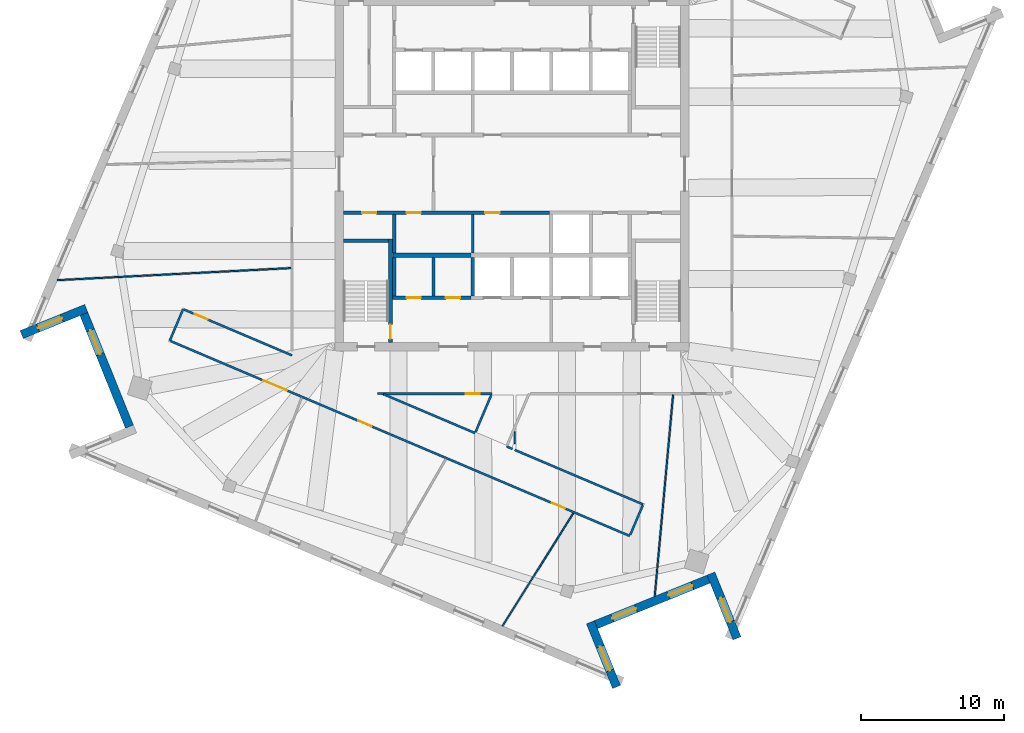
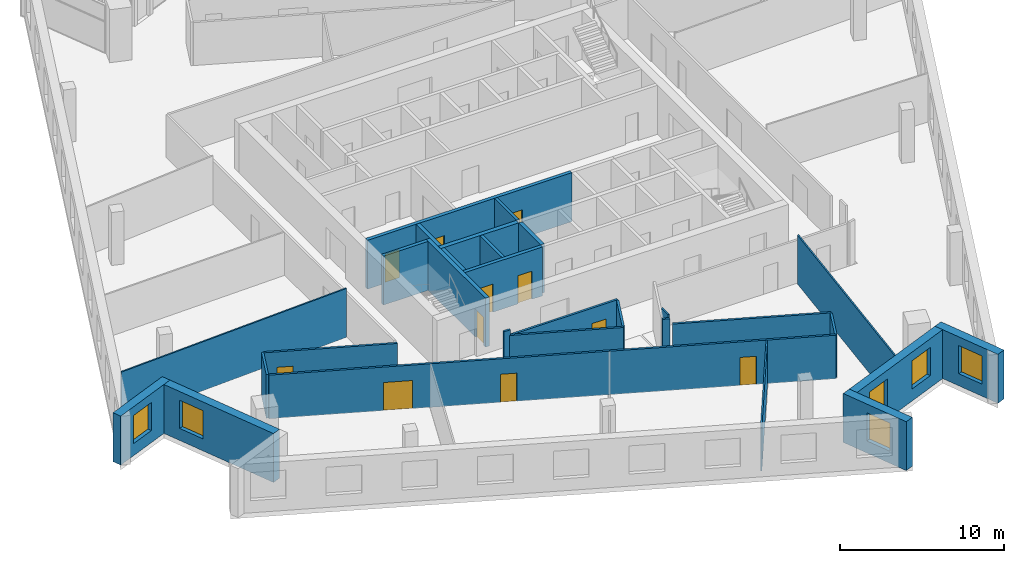
# One storey, part 6 of 13: 29 walls, 11 doors, 6 windows, 17 openings.
"""IFC4 building model written with IfcOpenShell, lengths in metres."""

from ifc_helpers import new_model, si_unit, direction, frame, frame_2d, origin, place, context, subcontext, project, spatial, rectangle, extrude, material, layer, layer_set, type_object, element, fill, save


model = new_model("IFC4")

# Units and contexts
model_context = context("Model", 3, precision=1e-05, world=origin(), true_north=direction((0.0, 1.0)))
body_context = subcontext(model_context, "Body", "Model", "MODEL_VIEW")
ifc_project = project(units=[si_unit("LENGTHUNIT", "METRE"), si_unit("AREAUNIT", "SQUARE_METRE"), si_unit("VOLUMEUNIT", "CUBIC_METRE"), si_unit("PLANEANGLEUNIT", "RADIAN"), si_unit("MASSUNIT", "GRAM", prefix="KILO")], contexts=[model_context])

# Site, building, storey
site_placement = place(None, origin())
site = spatial("IfcSite", under=ifc_project, at=site_placement, CompositionType="ELEMENT")
building_placement = place(site_placement, origin())
building = spatial("IfcBuilding", under=site, at=building_placement, Name="Dilmun Exchange Tower", CompositionType="ELEMENT")
storey_placement = place(building_placement, frame((0.0, 0.0, 300.5)))
storey = spatial("IfcBuildingStorey", under=building, at=storey_placement, Name="L71", CompositionType="ELEMENT", Elevation=300.5)

# Walls
ifc_material_1 = material(Name="Concrete C40/50", Category="concrete")
ifc_layer_1 = layer(ifc_material_1, 0.199951171875)
ifc_layer_set_1 = layer_set([ifc_layer_1], Name="Concrete C40/50")
wall_type_1 = type_object("IfcWallType", Name="Core partition wall 200", PredefinedType="PARTITIONING", material=ifc_layer_set_1)
for number, where, z_axis, x_axis, name in (
    (1, (-5.5, -8.544921875, 0.0), (0.0, 0.0, 1.0), (0.0, 1.0, 0.0), "L71 core partition wall 04"),
    (2, (-2.75, -5.544921875, 0.0), (0.0, 0.0, 1.0), (0.0, 1.0, 0.0), "L71 core partition wall 07"),
):
    element("IfcWall", number, at=place(storey_placement, frame(where, z_axis=z_axis, x_axis=x_axis)), inside=storey, type_object=wall_type_1, Name=name, PredefinedType="PARTITIONING", context=body_context, shape_type="SweptSolid", body=[
        extrude(rectangle(XDim=2.68994140625, YDim=0.199951171875, at=frame_2d((1.344970703125, 0.0))), origin(), (0.0, 0.0, 1.0), 3.64990234375),
    ])

# Wall, openings, doors
ifc_layer_2 = layer(ifc_material_1, 0.25)
ifc_layer_set_2 = layer_set([ifc_layer_2], Name="Concrete C40/50")
wall_type_2 = type_object("IfcWallType", Name="Core partition wall 250", PredefinedType="PARTITIONING", material=ifc_layer_set_2)
wall_1_placement = place(storey_placement, frame((-8.3701171875, -8.675048828125, 0.0), z_axis=(0.0, 0.0, 1.0), x_axis=(1.0, 0.0, 0.0)))
wall_1 = element("IfcWall", 3, at=wall_1_placement, inside=storey, type_object=wall_type_2, Name="L71 core partition wall 02", PredefinedType="PARTITIONING", context=body_context, shape_type="SweptSolid", body=[
    extrude(rectangle(XDim=5.490234375, YDim=0.25, at=frame_2d((2.7451171875, 0.0))), origin(), (0.0, 0.0, 1.0), 3.64990234375),
])
opening_1_placement = place(wall_1_placement, frame((0.9951171875, 0.0, 0.0)))
opening_1 = element("IfcOpeningElement", 4, at=opening_1_placement, cuts=wall_1, Name="Opening CD4", PredefinedType="OPENING", context=body_context, shape_type="SweptSolid", body=[
    extrude(rectangle(XDim=1.0, YDim=2.10009765625, at=frame_2d((0.5, 1.050048828125))), frame((0.0, 0.135009765625, 0.0), z_axis=(0.0, -1.0, 0.0), x_axis=(1.0, 0.0, 0.0)), (0.0, 0.0, 1.0), 0.27001953125),
])
opening_2_placement = place(wall_1_placement, frame((3.7451171875, 0.0, 0.0)))
opening_2 = element("IfcOpeningElement", 5, at=opening_2_placement, cuts=wall_1, Name="Opening CD4", PredefinedType="OPENING", context=body_context, shape_type="SweptSolid", body=[
    extrude(rectangle(XDim=1.0, YDim=2.10009765625, at=frame_2d((0.5, 1.050048828125))), frame((0.0, 0.135009765625, 0.0), z_axis=(0.0, -1.0, 0.0), x_axis=(1.0, 0.0, 0.0)), (0.0, 0.0, 1.0), 0.27001953125),
])
ifc_material_2 = material(Name="Fire-rated steel door set", Category="steel")
door_type_1 = type_object("IfcDoorType", Name="Core room door 1000x2100", OperationType="SINGLE_SWING_LEFT", PredefinedType="DOOR", material=ifc_material_2)
door_1_placement = place(opening_1_placement, origin())
door_1 = element("IfcDoor", 6, at=door_1_placement, inside=storey, type_object=door_type_1, Name="L71 door Male WC", OperationType="SINGLE_SWING_RIGHT", OverallHeight=2.10009765625, OverallWidth=1.0, PredefinedType="DOOR", context=body_context, shape_type="SweptSolid", body=[
    extrude(rectangle(XDim=1.0, YDim=2.10009765625, at=frame_2d((0.5, 1.050048828125))), frame((0.0, 0.02490234375, 0.0), z_axis=(0.0, -1.0, 0.0), x_axis=(1.0, 0.0, 0.0)), (0.0, 0.0, 1.0), 0.050048828125),
])
fill(opening_1, door_1)
door_2_placement = place(opening_2_placement, origin())
door_2 = element("IfcDoor", 7, at=door_2_placement, inside=storey, type_object=door_type_1, Name="L71 door Female WC", OperationType="SINGLE_SWING_RIGHT", OverallHeight=2.10009765625, OverallWidth=1.0, PredefinedType="DOOR", context=body_context, shape_type="SweptSolid", body=[
    extrude(rectangle(XDim=1.0, YDim=2.10009765625, at=frame_2d((0.5, 1.050048828125))), frame((0.0, 0.02490234375, 0.0), z_axis=(0.0, -1.0, 0.0), x_axis=(1.0, 0.0, 0.0)), (0.0, 0.0, 1.0), 0.050048828125),
])
fill(opening_2, door_2)

# Walls
for number, where, z_axis, x_axis, name in (
    (8, (-8.25, -8.544921875, 0.0), (0.0, 0.0, 1.0), (0.0, 1.0, 0.0), "L71 core partition wall 03"),
    (9, (-8.25, -5.544921875, 0.0), (0.0, 0.0, 1.0), (0.0, 1.0, 0.0), "L71 core partition wall 06"),
):
    element("IfcWall", number, at=place(storey_placement, frame(where, z_axis=z_axis, x_axis=x_axis)), inside=storey, type_object=wall_type_2, Name=name, PredefinedType="PARTITIONING", context=body_context, shape_type="SweptSolid", body=[
        extrude(rectangle(XDim=2.68994140625, YDim=0.25, at=frame_2d((1.344970703125, 0.0))), origin(), (0.0, 0.0, 1.0), 3.64990234375),
    ])

# Wall, openings, doors
wall_2_placement = place(storey_placement, frame((-11.794921875, -2.72509765625, 0.0), z_axis=(0.0, 0.0, 1.0), x_axis=(1.0, 0.0, 0.0)))
wall_2 = element("IfcWall", 10, at=wall_2_placement, inside=storey, type_object=wall_type_2, Name="L71 core partition wall 09", PredefinedType="PARTITIONING", context=body_context, shape_type="SweptSolid", body=[
    extrude(rectangle(XDim=14.4150390625, YDim=0.25, at=frame_2d((7.20751953125, 0.0))), origin(), (0.0, 0.0, 1.0), 3.64990234375),
])
opening_3_placement = place(wall_2_placement, frame((1.294921875, 0.0, 0.0)))
opening_3 = element("IfcOpeningElement", 11, at=opening_3_placement, cuts=wall_2, Name="Opening CD4", PredefinedType="OPENING", context=body_context, shape_type="SweptSolid", body=[
    extrude(rectangle(XDim=1.0, YDim=2.10009765625, at=frame_2d((0.5, 1.050048828125))), frame((0.0, 0.135009765625, 0.0), z_axis=(0.0, -1.0, 0.0), x_axis=(1.0, 0.0, 0.0)), (0.0, 0.0, 1.0), 0.27001953125),
])
opening_4_placement = place(wall_2_placement, frame((4.419921875, 0.0, 0.0)))
opening_4 = element("IfcOpeningElement", 12, at=opening_4_placement, cuts=wall_2, Name="Opening CD4", PredefinedType="OPENING", context=body_context, shape_type="SweptSolid", body=[
    extrude(rectangle(XDim=1.0, YDim=2.10009765625, at=frame_2d((0.5, 1.050048828125))), frame((0.0, 0.135009765625, 0.0), z_axis=(0.0, -1.0, 0.0), x_axis=(1.0, 0.0, 0.0)), (0.0, 0.0, 1.0), 0.27001953125),
])
opening_5_placement = place(wall_2_placement, frame((9.919921875, 0.0, 0.0)))
opening_5 = element("IfcOpeningElement", 13, at=opening_5_placement, cuts=wall_2, Name="Opening CD4", PredefinedType="OPENING", context=body_context, shape_type="SweptSolid", body=[
    extrude(rectangle(XDim=1.0, YDim=2.10009765625, at=frame_2d((0.5, 1.050048828125))), frame((0.0, 0.135009765625, 0.0), z_axis=(0.0, -1.0, 0.0), x_axis=(1.0, 0.0, 0.0)), (0.0, 0.0, 1.0), 0.27001953125),
])
door_3_placement = place(opening_3_placement, origin())
door_3 = element("IfcDoor", 14, at=door_3_placement, inside=storey, type_object=door_type_1, Name="L71 door Accessible WC", OperationType="SINGLE_SWING_RIGHT", OverallHeight=2.10009765625, OverallWidth=1.0, PredefinedType="DOOR", context=body_context, shape_type="SweptSolid", body=[
    extrude(rectangle(XDim=1.0, YDim=2.10009765625, at=frame_2d((0.5, 1.050048828125))), frame((0.0, 0.02490234375, 0.0), z_axis=(0.0, -1.0, 0.0), x_axis=(1.0, 0.0, 0.0)), (0.0, 0.0, 1.0), 0.050048828125),
])
fill(opening_3, door_3)
door_4_placement = place(opening_4_placement, origin())
door_4 = element("IfcDoor", 15, at=door_4_placement, inside=storey, type_object=door_type_1, Name="L71 door Print and mail room", OperationType="SINGLE_SWING_RIGHT", OverallHeight=2.10009765625, OverallWidth=1.0, PredefinedType="DOOR", context=body_context, shape_type="SweptSolid", body=[
    extrude(rectangle(XDim=1.0, YDim=2.10009765625, at=frame_2d((0.5, 1.050048828125))), frame((0.0, 0.02490234375, 0.0), z_axis=(0.0, -1.0, 0.0), x_axis=(1.0, 0.0, 0.0)), (0.0, 0.0, 1.0), 0.050048828125),
])
fill(opening_4, door_4)
door_5_placement = place(opening_5_placement, origin())
door_5 = element("IfcDoor", 16, at=door_5_placement, inside=storey, type_object=door_type_1, Name="L71 door Mechanical room", OperationType="SINGLE_SWING_RIGHT", OverallHeight=2.10009765625, OverallWidth=1.0, PredefinedType="DOOR", context=body_context, shape_type="SweptSolid", body=[
    extrude(rectangle(XDim=1.0, YDim=2.10009765625, at=frame_2d((0.5, 1.050048828125))), frame((0.0, 0.02490234375, 0.0), z_axis=(0.0, -1.0, 0.0), x_axis=(1.0, 0.0, 0.0)), (0.0, 0.0, 1.0), 0.050048828125),
])
fill(opening_5, door_5)

# Walls
ifc_layer_3 = layer(ifc_material_1, 0.300048828125)
ifc_layer_set_3 = layer_set([ifc_layer_3], Name="Concrete C40/50")
wall_type_3 = type_object("IfcWallType", Name="Core partition wall 300", PredefinedType="PARTITIONING", material=ifc_layer_set_3)
wall_3_placement = place(storey_placement, frame((-8.35009765625, -5.699951171875, 0.0), z_axis=(0.0, 0.0, 1.0), x_axis=(1.0, 0.0, 0.0)))
element("IfcWall", 17, at=wall_3_placement, inside=storey, type_object=wall_type_3, Name="L71 core partition wall 05", PredefinedType="PARTITIONING", context=body_context, shape_type="SweptSolid", body=[
    extrude(rectangle(XDim=5.47021484375, YDim=0.300048828125, at=frame_2d((2.735107421875, 0.0))), origin(), (0.0, 0.0, 1.0), 3.64990234375),
])
ifc_material_3 = material(Name="Corridor wall 150")
ifc_layer_4 = layer(ifc_material_3, 0.14990234375)
ifc_layer_set_4 = layer_set([ifc_layer_4], Name="Corridor wall 150")
wall_type_4 = type_object("IfcWallType", Name="Corridor wall 150", PredefinedType="PARTITIONING", material=ifc_layer_set_4)
wall_4_placement = place(storey_placement, frame((-23.965087890625, -11.681884765625, 0.0), z_axis=(0.0, 0.0, 1.0), x_axis=(0.390356552854, 0.920663761448, 0.0)))
element("IfcWall", 18, at=wall_4_placement, inside=storey, type_object=wall_type_4, Name="Corridor wall", PredefinedType="PARTITIONING", context=body_context, shape_type="SweptSolid", body=[
    extrude(rectangle(XDim=2.400390625, YDim=0.14990234375, at=frame_2d((1.2001953125, 0.0))), origin(), (0.0, 0.0, 1.0), 3.25),
])

# Wall, openings, doors
wall_5_placement = place(storey_placement, frame((-23.89599609375, -11.711181640625, 0.0), z_axis=(0.0, 0.0, 1.0), x_axis=(0.920507643781, -0.390724554821, 0.0)))
wall_5 = element("IfcWall", 19, at=wall_5_placement, inside=storey, type_object=wall_type_4, Name="Corridor wall", PredefinedType="PARTITIONING", context=body_context, shape_type="SweptSolid", body=[
    extrude(rectangle(XDim=34.916748046875, YDim=0.14990234375, at=frame_2d((17.45849609375, 0.0))), origin(), (0.0, 0.0, 1.0), 3.25),
])
opening_6_placement = place(wall_5_placement, frame((7.050048828125, 0.0, 0.0)))
opening_6 = element("IfcOpeningElement", 20, at=opening_6_placement, cuts=wall_5, Name="Opening TF70-D02", PredefinedType="OPENING", context=body_context, shape_type="SweptSolid", body=[
    extrude(rectangle(XDim=1.800048828125, YDim=2.10009765625, at=frame_2d((0.89990234375, 1.050048828125))), frame((0.0, 0.0849609375, 0.0), z_axis=(0.0, -1.0, 0.0), x_axis=(1.0, 0.0, 0.0)), (0.0, 0.0, 1.0), 0.169921875),
])
opening_7_placement = place(wall_5_placement, frame((14.269775390625, 0.0, 0.0)))
opening_7 = element("IfcOpeningElement", 21, at=opening_7_placement, cuts=wall_5, Name="Opening TF70-D05", PredefinedType="OPENING", context=body_context, shape_type="SweptSolid", body=[
    extrude(rectangle(XDim=1.0, YDim=2.10009765625, at=frame_2d((0.5, 1.050048828125))), frame((0.0, 0.0849609375, 0.0), z_axis=(0.0, -1.0, 0.0), x_axis=(1.0, 0.0, 0.0)), (0.0, 0.0, 1.0), 0.169921875),
])
opening_8_placement = place(wall_5_placement, frame((29.010986328125, 0.0, 0.0)))
opening_8 = element("IfcOpeningElement", 22, at=opening_8_placement, cuts=wall_5, Name="Opening TF70-D09", PredefinedType="OPENING", context=body_context, shape_type="SweptSolid", body=[
    extrude(rectangle(XDim=1.0, YDim=2.10009765625, at=frame_2d((0.5, 1.050048828125))), frame((0.0, 0.0849609375, 0.0), z_axis=(0.0, -1.0, 0.0), x_axis=(1.0, 0.0, 0.0)), (0.0, 0.0, 1.0), 0.169921875),
])
ifc_material_4 = material(Name="Fire door 1000 x 2100")
door_type_2 = type_object("IfcDoorType", Name="Fire door 1000 x 2100", OperationType="NOTDEFINED", PredefinedType="DOOR", material=ifc_material_4)
door_6_placement = place(opening_7_placement, frame((1.0, 0.0, 0.0), z_axis=(0.0, 0.0, 1.0), x_axis=(-1.0, 0.0, 0.0)))
door_6 = element("IfcDoor", 23, at=door_6_placement, inside=storey, type_object=door_type_2, Name="Door TF70-D05", OperationType="SINGLE_SWING_RIGHT", OverallHeight=2.10009765625, OverallWidth=1.0, PredefinedType="DOOR", context=body_context, shape_type="SweptSolid", body=[
    extrude(rectangle(XDim=1.0, YDim=2.10009765625, at=frame_2d((0.5, 1.050048828125))), frame((0.0, 0.02490234375, 0.0), z_axis=(0.0, -1.0, 0.0), x_axis=(1.0, 0.0, 0.0)), (0.0, 0.0, 1.0), 0.050048828125),
])
fill(opening_7, door_6)
door_7_placement = place(opening_8_placement, frame((1.0, 0.0, 0.0), z_axis=(0.0, 0.0, 1.0), x_axis=(-1.0, 0.0, 0.0)))
door_7 = element("IfcDoor", 24, at=door_7_placement, inside=storey, type_object=door_type_2, Name="Door TF70-D09", OperationType="SINGLE_SWING_LEFT", OverallHeight=2.10009765625, OverallWidth=1.0, PredefinedType="DOOR", context=body_context, shape_type="SweptSolid", body=[
    extrude(rectangle(XDim=1.0, YDim=2.10009765625, at=frame_2d((0.5, 1.050048828125))), frame((0.0, 0.02490234375, 0.0), z_axis=(0.0, -1.0, 0.0), x_axis=(1.0, 0.0, 0.0)), (0.0, 0.0, 1.0), 0.050048828125),
])
fill(opening_8, door_7)
ifc_material_5 = material(Name="Fire door pair 1800 x 2100")
door_type_3 = type_object("IfcDoorType", Name="Fire door pair 1800 x 2100", OperationType="NOTDEFINED", PredefinedType="DOOR", material=ifc_material_5)
door_8_placement = place(opening_6_placement, frame((1.800048828125, 0.0, 0.0), z_axis=(0.0, 0.0, 1.0), x_axis=(-1.0, 0.0, 0.0)))
door_8 = element("IfcDoor", 25, at=door_8_placement, inside=storey, type_object=door_type_3, Name="Door TF70-D02", OperationType="DOUBLE_DOOR_SINGLE_SWING", OverallHeight=2.10009765625, OverallWidth=1.800048828125, PredefinedType="DOOR", context=body_context, shape_type="SweptSolid", body=[
    extrude(rectangle(XDim=1.800048828125, YDim=2.10009765625, at=frame_2d((0.89990234375, 1.050048828125))), frame((0.0, 0.02490234375, 0.0), z_axis=(0.0, -1.0, 0.0), x_axis=(1.0, 0.0, 0.0)), (0.0, 0.0, 1.0), 0.050048828125),
])
fill(opening_6, door_8)

# Wall, opening, door
wall_6_placement = place(storey_placement, frame((-22.958984375, -9.501220703125, 0.0), z_axis=(0.0, 0.0, 1.0), x_axis=(0.920500461351, -0.390741475471, 0.0)))
wall_6 = element("IfcWall", 26, at=wall_6_placement, inside=storey, type_object=wall_type_4, Name="Corridor wall", PredefinedType="PARTITIONING", context=body_context, shape_type="SweptSolid", body=[
    extrude(rectangle(XDim=8.2119140625, YDim=0.14990234375, at=frame_2d((4.10595703125, 0.0))), origin(), (0.0, 0.0, 1.0), 3.25),
])
opening_9_placement = place(wall_6_placement, frame((0.800048828125, 0.0, 0.0)))
opening_9 = element("IfcOpeningElement", 27, at=opening_9_placement, cuts=wall_6, Name="Opening TF70-D03", PredefinedType="OPENING", context=body_context, shape_type="SweptSolid", body=[
    extrude(rectangle(XDim=1.0, YDim=2.10009765625, at=frame_2d((0.5, 1.050048828125))), frame((0.0, 0.0849609375, 0.0), z_axis=(0.0, -1.0, 0.0), x_axis=(1.0, 0.0, 0.0)), (0.0, 0.0, 1.0), 0.169921875),
])
door_9_placement = place(opening_9_placement, origin())
door_9 = element("IfcDoor", 28, at=door_9_placement, inside=storey, type_object=door_type_2, Name="Door TF70-D03", OperationType="SINGLE_SWING_RIGHT", OverallHeight=2.10009765625, OverallWidth=1.0, PredefinedType="DOOR", context=body_context, shape_type="SweptSolid", body=[
    extrude(rectangle(XDim=1.0, YDim=2.10009765625, at=frame_2d((0.5, 1.050048828125))), frame((0.0, 0.02490234375, 0.0), z_axis=(0.0, -1.0, 0.0), x_axis=(1.0, 0.0, 0.0)), (0.0, 0.0, 1.0), 0.050048828125),
])
fill(opening_9, door_9)

# Wall
wall_7_placement = place(storey_placement, frame((-9.053955078125, -15.404052734375, 0.0), z_axis=(0.0, 0.0, 1.0), x_axis=(0.920529927063, -0.390672053495, 0.0)))
element("IfcWall", 29, at=wall_7_placement, inside=storey, type_object=wall_type_4, Name="Corridor wall", PredefinedType="PARTITIONING", context=body_context, shape_type="SweptSolid", body=[
    extrude(rectangle(XDim=7.028564453125, YDim=0.14990234375, at=frame_2d((3.51416015625, 0.0))), origin(), (0.0, 0.0, 1.0), 3.25),
])

# Wall, opening, door
wall_8_placement = place(storey_placement, frame((-9.052978515625, -15.39990234375, 0.0), z_axis=(0.0, 0.0, 1.0), x_axis=(1.0, 0.0, 0.0)))
wall_8 = element("IfcWall", 30, at=wall_8_placement, inside=storey, type_object=wall_type_4, Name="Corridor wall", PredefinedType="PARTITIONING", context=body_context, shape_type="SweptSolid", body=[
    extrude(rectangle(XDim=7.635986328125, YDim=0.14990234375, at=frame_2d((3.81787109375, 0.0))), origin(), (0.0, 0.0, 1.0), 3.25),
])
opening_10_placement = place(wall_8_placement, frame((5.800048828125, 0.0, 0.0)))
opening_10 = element("IfcOpeningElement", 31, at=opening_10_placement, cuts=wall_8, Name="Opening TF70-D08", PredefinedType="OPENING", context=body_context, shape_type="SweptSolid", body=[
    extrude(rectangle(XDim=1.0, YDim=2.10009765625, at=frame_2d((0.5, 1.050048828125))), frame((0.0, 0.0849609375, 0.0), z_axis=(0.0, -1.0, 0.0), x_axis=(1.0, 0.0, 0.0)), (0.0, 0.0, 1.0), 0.169921875),
])
door_10_placement = place(opening_10_placement, frame((1.0, 0.0, 0.0), z_axis=(0.0, 0.0, 1.0), x_axis=(-1.0, 0.0, 0.0)))
door_10 = element("IfcDoor", 32, at=door_10_placement, inside=storey, type_object=door_type_2, Name="Door TF70-D08", OperationType="SINGLE_SWING_RIGHT", OverallHeight=2.10009765625, OverallWidth=1.0, PredefinedType="DOOR", context=body_context, shape_type="SweptSolid", body=[
    extrude(rectangle(XDim=1.0, YDim=2.10009765625, at=frame_2d((0.5, 1.050048828125))), frame((0.0, 0.02490234375, 0.0), z_axis=(0.0, -1.0, 0.0), x_axis=(1.0, 0.0, 0.0)), (0.0, 0.0, 1.0), 0.050048828125),
])
fill(opening_10, door_10)

# Walls
wall_9_placement = place(storey_placement, frame((-8.99609375, -15.39697265625, 0.0), z_axis=(0.0, 0.0, 1.0), x_axis=(-0.998938201598, 0.046070265765, 0.0)))
element("IfcWall", 33, at=wall_9_placement, inside=storey, type_object=wall_type_4, Name="Corridor wall", PredefinedType="PARTITIONING", context=body_context, shape_type="SweptSolid", body=[
    extrude(rectangle(XDim=0.4345703125, YDim=0.14990234375, at=frame_2d((0.21728515625, 0.0))), origin(), (0.0, 0.0, 1.0), 3.64990234375),
])
wall_10_placement = place(storey_placement, frame((-2.5546875, -18.0810546875, 0.0), z_axis=(0.0, 0.0, 1.0), x_axis=(0.39066407996, 0.920533310983, 0.0)))
element("IfcWall", 34, at=wall_10_placement, inside=storey, type_object=wall_type_4, Name="Corridor wall", PredefinedType="PARTITIONING", context=body_context, shape_type="SweptSolid", body=[
    extrude(rectangle(XDim=2.799072265625, YDim=0.14990234375, at=frame_2d((1.3994140625, 0.0))), origin(), (0.0, 0.0, 1.0), 3.25),
])
wall_11_placement = place(storey_placement, frame((-0.375, -19.087890625, 0.0), z_axis=(0.0, 0.0, 1.0), x_axis=(0.920778367596, -0.390086141471, 0.0)))
element("IfcWall", 35, at=wall_11_placement, inside=storey, type_object=wall_type_4, Name="Corridor wall", PredefinedType="PARTITIONING", context=body_context, shape_type="SweptSolid", body=[
    extrude(rectangle(XDim=0.4462890625, YDim=0.14990234375, at=frame_2d((0.22314453125, 0.0))), origin(), (0.0, 0.0, 1.0), 3.64990234375),
])
wall_12_placement = place(storey_placement, frame((0.193115234375, -19.3291015625, 0.0), z_axis=(0.0, 0.0, 1.0), x_axis=(0.92050877494, -0.390721889914, 0.0)))
element("IfcWall", 36, at=wall_12_placement, inside=storey, type_object=wall_type_4, Name="Corridor wall", PredefinedType="PARTITIONING", context=body_context, shape_type="SweptSolid", body=[
    extrude(rectangle(XDim=9.766357421875, YDim=0.14990234375, at=frame_2d((4.88330078125, 0.0))), origin(), (0.0, 0.0, 1.0), 3.25),
])
wall_13_placement = place(storey_placement, frame((8.2744140625, -25.284912109375, 0.0), z_axis=(0.0, 0.0, 1.0), x_axis=(0.390878666815, 0.920442213194, 0.0)))
element("IfcWall", 37, at=wall_13_placement, inside=storey, type_object=wall_type_4, Name="Corridor wall", PredefinedType="PARTITIONING", context=body_context, shape_type="SweptSolid", body=[
    extrude(rectangle(XDim=2.249755859375, YDim=0.14990234375, at=frame_2d((1.125, 0.0))), origin(), (0.0, 0.0, 1.0), 3.25),
])
ifc_layer_5 = layer(ifc_material_1, 0.25)
ifc_layer_set_5 = layer_set([ifc_layer_5], Name="Concrete C40/50")
wall_type_5 = type_object("IfcWallType", Name="Lift shaft wall 250", PredefinedType="SOLIDWALL", material=ifc_layer_set_5)
wall_14_placement = place(storey_placement, frame((-2.75, -8.550048828125, 0.0), z_axis=(0.0, 0.0, 1.0), x_axis=(0.0, 1.0, 0.0)))
element("IfcWall", 38, at=wall_14_placement, inside=storey, type_object=wall_type_5, Name="L71 lift shaft divider S22", PredefinedType="SOLIDWALL", context=body_context, shape_type="SweptSolid", body=[
    extrude(rectangle(XDim=2.699951171875, YDim=0.25, at=frame_2d((1.35009765625, 0.0))), origin(), (0.0, 0.0, 1.0), 3.64990234375),
])
ifc_material_6 = material(Name="Partition 100")
ifc_layer_6 = layer(ifc_material_6, 0.10009765625)
ifc_layer_set_6 = layer_set([ifc_layer_6], Name="Partition 100")
wall_type_6 = type_object("IfcWallType", Name="Partition 100", PredefinedType="PARTITIONING", material=ifc_layer_set_6)
wall_15_placement = place(storey_placement, frame((-31.8359375, -7.4404296875, 0.0), z_axis=(0.0, 0.0, 1.0), x_axis=(0.998664003793, 0.05167405082, 0.0)))
element("IfcWall", 39, at=wall_15_placement, inside=storey, type_object=wall_type_6, Name="Partition", PredefinedType="PARTITIONING", context=body_context, shape_type="SweptSolid", body=[
    extrude(rectangle(XDim=16.38037109375, YDim=0.10009765625, at=frame_2d((8.190185546875, 0.0))), origin(), (0.0, 0.0, 1.0), 3.64990234375),
])
wall_16_placement = place(storey_placement, frame((-0.66455078125, -31.65478515625, 0.0), z_axis=(0.0, 0.0, 1.0), x_axis=(0.531957386579, 0.846771125431, 0.0)))
element("IfcWall", 40, at=wall_16_placement, inside=storey, type_object=wall_type_6, Name="Partition", PredefinedType="PARTITIONING", context=body_context, shape_type="SweptSolid", body=[
    extrude(rectangle(XDim=9.316162109375, YDim=0.10009765625, at=frame_2d((4.658203125, 0.0))), origin(), (0.0, 0.0, 1.0), 3.25),
])
wall_17_placement = place(storey_placement, frame((0.193115234375, -18.89208984375, 0.0), z_axis=(0.0, 0.0, 1.0), x_axis=(0.0, 1.0, 0.0)))
element("IfcWall", 41, at=wall_17_placement, inside=storey, type_object=wall_type_6, Name="Partition", PredefinedType="PARTITIONING", context=body_context, shape_type="SweptSolid", body=[
    extrude(rectangle(XDim=0.83251953125, YDim=0.10009765625, at=frame_2d((0.416259765625, 0.0))), origin(), (0.0, 0.0, 1.0), 3.64990234375),
])
wall_18_placement = place(storey_placement, frame((9.995361328125, -29.576904296875, 0.0), z_axis=(0.0, 0.0, 1.0), x_axis=(0.090666368484, 0.995881323063, 0.0)))
element("IfcWall", 42, at=wall_18_placement, inside=storey, type_object=wall_type_6, Name="Partition", PredefinedType="PARTITIONING", context=body_context, shape_type="SweptSolid", body=[
    extrude(rectangle(XDim=14.15576171875, YDim=0.10009765625, at=frame_2d((7.077880859375, 0.0))), origin(), (0.0, 0.0, 1.0), 3.64990234375),
])

# Wall, opening, window
ifc_material_7 = material(Name="Precast concrete C50/60", Category="concrete")
ifc_layer_7 = layer(ifc_material_7, 0.60009765625)
ifc_layer_set_7 = layer_set([ifc_layer_7], Name="Precast concrete C50/60")
wall_type_7 = type_object("IfcWallType", Name="Precast stone-clad wall 600", PredefinedType="STANDARD", material=ifc_layer_set_7)
wall_19_placement = place(storey_placement, frame((-34.339599609375, -11.254638671875, 0.0), z_axis=(0.0, 0.0, 1.0), x_axis=(0.927189106571, 0.374593593988, 0.0)))
wall_19 = element("IfcWall", 43, at=wall_19_placement, inside=storey, type_object=wall_type_7, Name="Facade wall L71-04", PredefinedType="STANDARD", context=body_context, shape_type="SweptSolid", body=[
    extrude(rectangle(XDim=4.885498046875, YDim=0.60009765625, at=frame_2d((2.44287109375, 0.0))), origin(), (0.0, 0.0, 1.0), 3.64990234375),
])
opening_11_placement = place(wall_19_placement, frame((1.242919921875, 0.0, 0.89990234375)))
opening_11 = element("IfcOpeningElement", 44, at=opening_11_placement, cuts=wall_19, Name="Opening W180-210", PredefinedType="OPENING", context=body_context, shape_type="SweptSolid", body=[
    extrude(rectangle(XDim=1.800048828125, YDim=2.10009765625, at=frame_2d((0.89990234375, 1.050048828125))), frame((0.0, 0.31005859375, 0.0), z_axis=(0.0, -1.0, 0.0), x_axis=(1.0, 0.0, 0.0)), (0.0, 0.0, 1.0), 0.6201171875),
])
ifc_material_8 = material(Name="Clear low-emissivity glass in aluminium frame", Category="aluminium")
window_type = type_object("IfcWindowType", Name="Punched window 1800 x 2100", PartitioningType="DOUBLE_PANEL_VERTICAL", PredefinedType="WINDOW", material=ifc_material_8)
window_1_placement = place(opening_11_placement, origin())
window_1 = element("IfcWindow", 45, at=window_1_placement, inside=storey, type_object=window_type, Name="Window 5.1", OverallHeight=2.10009765625, OverallWidth=1.800048828125, PartitioningType="SINGLE_PANEL", PredefinedType="WINDOW", context=body_context, shape_type="SweptSolid", body=[
    extrude(rectangle(XDim=1.800048828125, YDim=2.10009765625, at=frame_2d((0.89990234375, 1.050048828125))), frame((0.0, 0.030029296875, 0.0), z_axis=(0.0, -1.0, 0.0), x_axis=(1.0, 0.0, 0.0)), (0.0, 0.0, 1.0), 0.06005859375),
])
fill(opening_11, window_1)

wall_20_placement = place(storey_placement, frame((-29.9755859375, -9.81494140625, 0.0), z_axis=(0.0, 0.0, 1.0), x_axis=(0.374622134294, -0.927177575493, 0.0)))
wall_20 = element("IfcWall", 46, at=wall_20_placement, inside=storey, type_object=wall_type_7, Name="Facade wall L71-05", PredefinedType="STANDARD", context=body_context, shape_type="SweptSolid", body=[
    extrude(rectangle(XDim=8.5, YDim=0.60009765625, at=frame_2d((4.25, 0.0))), origin(), (0.0, 0.0, 1.0), 3.64990234375),
])
opening_12_placement = place(wall_20_placement, frame((1.22509765625, 0.0, 0.89990234375)))
opening_12 = element("IfcOpeningElement", 47, at=opening_12_placement, cuts=wall_20, Name="Opening W180-210", PredefinedType="OPENING", context=body_context, shape_type="SweptSolid", body=[
    extrude(rectangle(XDim=1.800048828125, YDim=2.10009765625, at=frame_2d((0.89990234375, 1.050048828125))), frame((0.0, 0.31005859375, 0.0), z_axis=(0.0, -1.0, 0.0), x_axis=(1.0, 0.0, 0.0)), (0.0, 0.0, 1.0), 0.6201171875),
])
window_2_placement = place(opening_12_placement, origin())
window_2 = element("IfcWindow", 48, at=window_2_placement, inside=storey, type_object=window_type, Name="Window 6.1", OverallHeight=2.10009765625, OverallWidth=1.800048828125, PartitioningType="SINGLE_PANEL", PredefinedType="WINDOW", context=body_context, shape_type="SweptSolid", body=[
    extrude(rectangle(XDim=1.800048828125, YDim=2.10009765625, at=frame_2d((0.89990234375, 1.050048828125))), frame((0.0, 0.030029296875, 0.0), z_axis=(0.0, -1.0, 0.0), x_axis=(1.0, 0.0, 0.0)), (0.0, 0.0, 1.0), 0.06005859375),
])
fill(opening_12, window_2)

wall_21_placement = place(storey_placement, frame((7.32080078125, -35.9287109375, 0.0), z_axis=(0.0, 0.0, 1.0), x_axis=(-0.374593593988, 0.927189106571, 0.0)))
wall_21 = element("IfcWall", 49, at=wall_21_placement, inside=storey, type_object=wall_type_7, Name="Facade wall L71-08", PredefinedType="STANDARD", context=body_context, shape_type="SweptSolid", body=[
    extrude(rectangle(XDim=4.885498046875, YDim=0.60009765625, at=frame_2d((2.44287109375, 0.0))), origin(), (0.0, 0.0, 1.0), 3.64990234375),
])
opening_13_placement = place(wall_21_placement, frame((1.242919921875, 0.0, 0.89990234375)))
opening_13 = element("IfcOpeningElement", 50, at=opening_13_placement, cuts=wall_21, Name="Opening W180-210", PredefinedType="OPENING", context=body_context, shape_type="SweptSolid", body=[
    extrude(rectangle(XDim=1.800048828125, YDim=2.10009765625, at=frame_2d((0.89990234375, 1.050048828125))), frame((0.0, 0.31005859375, 0.0), z_axis=(0.0, -1.0, 0.0), x_axis=(1.0, 0.0, 0.0)), (0.0, 0.0, 1.0), 0.6201171875),
])
window_3_placement = place(opening_13_placement, origin())
window_3 = element("IfcWindow", 51, at=window_3_placement, inside=storey, type_object=window_type, Name="Window 9.1", OverallHeight=2.10009765625, OverallWidth=1.800048828125, PartitioningType="SINGLE_PANEL", PredefinedType="WINDOW", context=body_context, shape_type="SweptSolid", body=[
    extrude(rectangle(XDim=1.800048828125, YDim=2.10009765625, at=frame_2d((0.89990234375, 1.050048828125))), frame((0.0, 0.030029296875, 0.0), z_axis=(0.0, -1.0, 0.0), x_axis=(1.0, 0.0, 0.0)), (0.0, 0.0, 1.0), 0.06005859375),
])
fill(opening_13, window_3)

# Wall, openings, windows
wall_22_placement = place(storey_placement, frame((5.88134765625, -31.564697265625, 0.0), z_axis=(0.0, 0.0, 1.0), x_axis=(0.927187551636, 0.37459744272, 0.0)))
wall_22 = element("IfcWall", 52, at=wall_22_placement, inside=storey, type_object=wall_type_7, Name="Facade wall L71-09", PredefinedType="STANDARD", context=body_context, shape_type="SweptSolid", body=[
    extrude(rectangle(XDim=8.5, YDim=0.60009765625, at=frame_2d((4.25, 0.0))), origin(), (0.0, 0.0, 1.0), 3.64990234375),
])
opening_14_placement = place(wall_22_placement, frame((1.22509765625, 0.0, 0.89990234375)))
opening_14 = element("IfcOpeningElement", 53, at=opening_14_placement, cuts=wall_22, Name="Opening W180-210", PredefinedType="OPENING", context=body_context, shape_type="SweptSolid", body=[
    extrude(rectangle(XDim=1.800048828125, YDim=2.10009765625, at=frame_2d((0.89990234375, 1.050048828125))), frame((0.0, 0.31005859375, 0.0), z_axis=(0.0, -1.0, 0.0), x_axis=(1.0, 0.0, 0.0)), (0.0, 0.0, 1.0), 0.6201171875),
])
opening_15_placement = place(wall_22_placement, frame((5.47509765625, 0.0, 0.89990234375)))
opening_15 = element("IfcOpeningElement", 54, at=opening_15_placement, cuts=wall_22, Name="Opening W180-210", PredefinedType="OPENING", context=body_context, shape_type="SweptSolid", body=[
    extrude(rectangle(XDim=1.800048828125, YDim=2.10009765625, at=frame_2d((0.89990234375, 1.050048828125))), frame((0.0, 0.31005859375, 0.0), z_axis=(0.0, -1.0, 0.0), x_axis=(1.0, 0.0, 0.0)), (0.0, 0.0, 1.0), 0.6201171875),
])
window_4_placement = place(opening_14_placement, origin())
window_4 = element("IfcWindow", 55, at=window_4_placement, inside=storey, type_object=window_type, Name="Window 10.1", OverallHeight=2.10009765625, OverallWidth=1.800048828125, PartitioningType="SINGLE_PANEL", PredefinedType="WINDOW", context=body_context, shape_type="SweptSolid", body=[
    extrude(rectangle(XDim=1.800048828125, YDim=2.10009765625, at=frame_2d((0.89990234375, 1.050048828125))), frame((0.0, 0.030029296875, 0.0), z_axis=(0.0, -1.0, 0.0), x_axis=(1.0, 0.0, 0.0)), (0.0, 0.0, 1.0), 0.06005859375),
])
fill(opening_14, window_4)
window_5_placement = place(opening_15_placement, origin())
window_5 = element("IfcWindow", 56, at=window_5_placement, inside=storey, type_object=window_type, Name="Window 10.2", OverallHeight=2.10009765625, OverallWidth=1.800048828125, PartitioningType="SINGLE_PANEL", PredefinedType="WINDOW", context=body_context, shape_type="SweptSolid", body=[
    extrude(rectangle(XDim=1.800048828125, YDim=2.10009765625, at=frame_2d((0.89990234375, 1.050048828125))), frame((0.0, 0.030029296875, 0.0), z_axis=(0.0, -1.0, 0.0), x_axis=(1.0, 0.0, 0.0)), (0.0, 0.0, 1.0), 0.06005859375),
])
fill(opening_15, window_5)

# Wall, opening, window
wall_23_placement = place(storey_placement, frame((13.92822265625, -27.989990234375, 0.0), z_axis=(0.0, 0.0, 1.0), x_axis=(0.374576238335, -0.927196118238, 0.0)))
wall_23 = element("IfcWall", 57, at=wall_23_placement, inside=storey, type_object=wall_type_7, Name="Facade wall L71-10", PredefinedType="STANDARD", context=body_context, shape_type="SweptSolid", body=[
    extrude(rectangle(XDim=4.8857421875, YDim=0.60009765625, at=frame_2d((2.44287109375, 0.0))), origin(), (0.0, 0.0, 1.0), 3.64990234375),
])
opening_16_placement = place(wall_23_placement, frame((1.8427734375, 0.0, 0.89990234375)))
opening_16 = element("IfcOpeningElement", 58, at=opening_16_placement, cuts=wall_23, Name="Opening W180-210", PredefinedType="OPENING", context=body_context, shape_type="SweptSolid", body=[
    extrude(rectangle(XDim=1.800048828125, YDim=2.10009765625, at=frame_2d((0.89990234375, 1.050048828125))), frame((0.0, 0.31005859375, 0.0), z_axis=(0.0, -1.0, 0.0), x_axis=(1.0, 0.0, 0.0)), (0.0, 0.0, 1.0), 0.6201171875),
])
window_6_placement = place(opening_16_placement, origin())
window_6 = element("IfcWindow", 59, at=window_6_placement, inside=storey, type_object=window_type, Name="Window 11.1", OverallHeight=2.10009765625, OverallWidth=1.800048828125, PartitioningType="SINGLE_PANEL", PredefinedType="WINDOW", context=body_context, shape_type="SweptSolid", body=[
    extrude(rectangle(XDim=1.800048828125, YDim=2.10009765625, at=frame_2d((0.89990234375, 1.050048828125))), frame((0.0, 0.030029296875, 0.0), z_axis=(0.0, -1.0, 0.0), x_axis=(1.0, 0.0, 0.0)), (0.0, 0.0, 1.0), 0.06005859375),
])
fill(opening_16, window_6)

# Wall
ifc_layer_8 = layer(ifc_material_1, 0.25)
ifc_layer_set_8 = layer_set([ifc_layer_8], Name="Concrete C40/50")
wall_type_8 = type_object("IfcWallType", Name="Stair end wall 250", PredefinedType="SOLIDWALL", material=ifc_layer_set_8)
wall_24_placement = place(storey_placement, frame((-8.64990234375, -4.675048828125, 0.0), z_axis=(0.0, 0.0, 1.0), x_axis=(-1.0, 0.0, 0.0)))
element("IfcWall", 60, at=wall_24_placement, inside=storey, type_object=wall_type_8, Name="L71 ST2 far wall", PredefinedType="SOLIDWALL", context=body_context, shape_type="SweptSolid", body=[
    extrude(rectangle(XDim=3.150146484375, YDim=0.25, at=frame_2d((1.5751953125, 0.0))), origin(), (0.0, 0.0, 1.0), 3.64990234375),
])

# Wall, opening, door
ifc_layer_9 = layer(ifc_material_1, 0.27490234375)
ifc_layer_set_9 = layer_set([ifc_layer_9], Name="Concrete C40/50")
wall_type_9 = type_object("IfcWallType", Name="Stair wall 275", PredefinedType="SOLIDWALL", material=ifc_layer_set_9)
wall_25_placement = place(storey_placement, frame((-8.512451171875, -4.550048828125, 0.0), z_axis=(0.0, 0.0, 1.0), x_axis=(0.0, -1.0, 0.0)))
wall_25 = element("IfcWall", 61, at=wall_25_placement, inside=storey, type_object=wall_type_9, Name="L71 ST2 wall to lift block", PredefinedType="SOLIDWALL", context=body_context, shape_type="SweptSolid", body=[
    extrude(rectangle(XDim=7.25, YDim=0.27490234375, at=frame_2d((3.625, 0.0))), origin(), (0.0, 0.0, 1.0), 3.64990234375),
])
opening_17_placement = place(wall_25_placement, frame((6.0, 0.0, 0.0)))
opening_17 = element("IfcOpeningElement", 62, at=opening_17_placement, cuts=wall_25, Name="Opening CD4", PredefinedType="OPENING", context=body_context, shape_type="SweptSolid", body=[
    extrude(rectangle(XDim=1.0, YDim=2.10009765625, at=frame_2d((0.5, 1.050048828125))), frame((0.0, 0.1474609375, 0.0), z_axis=(0.0, -1.0, 0.0), x_axis=(1.0, 0.0, 0.0)), (0.0, 0.0, 1.0), 0.294921875),
])
door_11_placement = place(opening_17_placement, origin())
door_11 = element("IfcDoor", 63, at=door_11_placement, inside=storey, type_object=door_type_1, Name="L71 door ST2 from lobby", OperationType="SINGLE_SWING_LEFT", OverallHeight=2.10009765625, OverallWidth=1.0, PredefinedType="DOOR", context=body_context, shape_type="SweptSolid", body=[
    extrude(rectangle(XDim=1.0, YDim=2.10009765625, at=frame_2d((0.5, 1.050048828125))), frame((0.0, 0.02490234375, 0.0), z_axis=(0.0, -1.0, 0.0), x_axis=(1.0, 0.0, 0.0)), (0.0, 0.0, 1.0), 0.050048828125),
])
fill(opening_17, door_11)

save(model, "model.ifc")
